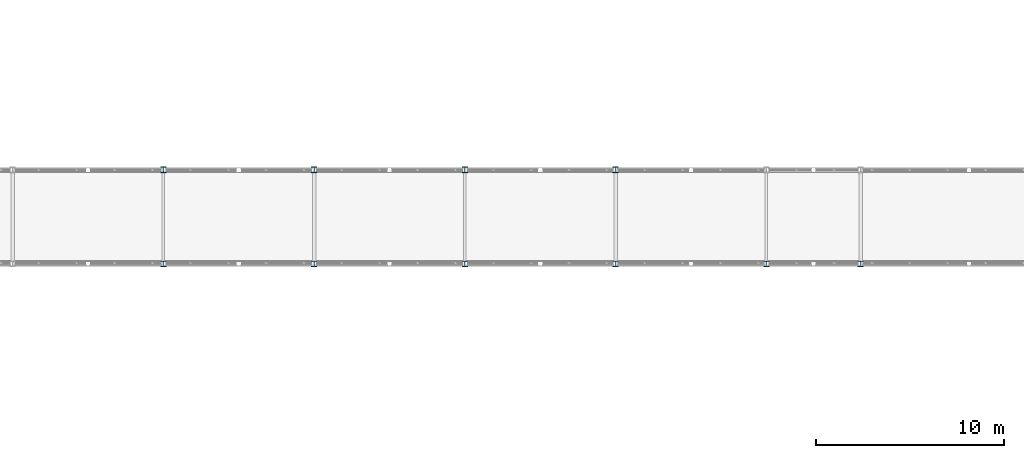
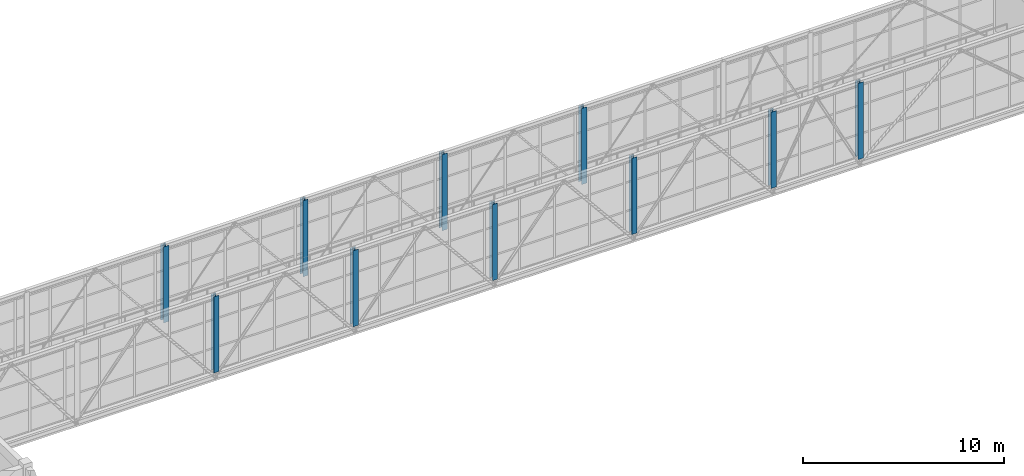
# One storey, part 6 of 248: 10 columns.
"""IFC4 building model written with IfcOpenShell, lengths in metres."""

import ifcopenshell
import ifcopenshell.guid

model = None  # the IFC model being written
_history = None  # IfcOwnerHistory: only IFC2X3 demands one
_inside = {}  # id of a spatial element -> (the spatial element, [elements in it])
_under = {}  # id of a project, library or spatial element -> (it, [spatial elements below it])
_declared = {}  # id of a project -> (the project, [libraries it declares])
_typed = {}  # id of a type object -> (the type object, [elements of that type])
_made_of = {}  # id of a material, layer set ... -> (it, [elements and type objects made of it])


def new_model(schema):
    """Start an empty IFC model of exactly this schema.

    Asked for "IFC4X3", IfcOpenShell would pick the latest addendum, in which some entities
    have other attributes; the version numbers below select the first issue.
    IFC2X3 requires an IfcOwnerHistory on every rooted entity: one is made here for all.
    """
    global model, _history
    if schema == "IFC4X3":
        model = ifcopenshell.file(schema_version=(4, 3, 0, 0))
    else:
        model = ifcopenshell.file(schema=schema)
    _inside.clear()
    _under.clear()
    _declared.clear()
    _typed.clear()
    _made_of.clear()
    _history = None
    if model.schema == "IFC2X3":
        org = make("IfcOrganization", Name="unknown")
        user = make(
            "IfcPersonAndOrganization",
            ThePerson=make("IfcPerson", FamilyName="unknown"),
            TheOrganization=org,
        )
        app = make(
            "IfcApplication",
            ApplicationDeveloper=org,
            Version="unknown",
            ApplicationFullName="unknown",
            ApplicationIdentifier="unknown",
        )
        _history = make(
            "IfcOwnerHistory",
            OwningUser=user,
            OwningApplication=app,
            ChangeAction="ADDED",
            CreationDate=0,
        )
    return model


def make(cls, **values):
    """One entity of the class cls with the attributes given. An attribute that is None is left unset."""
    return model.create_entity(
        cls, **{name: value for name, value in values.items() if value is not None}
    )


def rooted(cls, **values):
    """An entity with a GlobalId (a new one), such as an element, a storey or a relation."""
    return make(cls, GlobalId=ifcopenshell.guid.new(), OwnerHistory=_history, **values)


def si_unit(unit_type, name, prefix=None):
    """IfcSIUnit, for example si_unit("LENGTHUNIT", "METRE", prefix="MILLI")."""
    return make("IfcSIUnit", UnitType=unit_type, Prefix=prefix, Name=name)


def assignment(units):
    """IfcUnitAssignment: the units of a project."""
    return None if units is None else make("IfcUnitAssignment", Units=units)


def point(xyz):
    """IfcCartesianPoint."""
    return None if xyz is None else make("IfcCartesianPoint", Coordinates=xyz)


def direction(xyz):
    """IfcDirection."""
    return None if xyz is None else make("IfcDirection", DirectionRatios=xyz)


def frame(location, z_axis=None, x_axis=None):
    """IfcAxis2Placement3D, a coordinate frame: its origin and axes. An axis left out is left unset."""
    return make(
        "IfcAxis2Placement3D",
        Location=point(location),
        Axis=direction(z_axis),
        RefDirection=direction(x_axis),
    )


def frame_2d(location, x_axis=None):
    """IfcAxis2Placement2D, a coordinate frame in the plane: its origin and x axis."""
    return make(
        "IfcAxis2Placement2D", Location=point(location), RefDirection=direction(x_axis)
    )


def origin():
    """The frame at (0, 0, 0) with its axes left unset."""
    return frame((0.0, 0.0, 0.0))


def origin_2d():
    """The frame at (0, 0) in the plane with its x axis left unset."""
    return frame_2d((0.0, 0.0))


def place(relative_to, where):
    """IfcLocalPlacement: puts the frame where relative to a parent placement (None: the world)."""
    return make(
        "IfcLocalPlacement", PlacementRelTo=relative_to, RelativePlacement=where
    )


def context(
    kind, dimensions, precision=None, world=None, true_north=None, identifier=None
):
    """IfcGeometricRepresentationContext, for example the 3D "Model" context."""
    return make(
        "IfcGeometricRepresentationContext",
        ContextIdentifier=identifier,
        ContextType=kind,
        CoordinateSpaceDimension=dimensions,
        Precision=precision,
        WorldCoordinateSystem=world,
        TrueNorth=true_north,
    )


def subcontext(parent, identifier, kind, view, scale=None):
    """IfcGeometricRepresentationSubContext, for example "Body" below "Model"."""
    return make(
        "IfcGeometricRepresentationSubContext",
        ContextIdentifier=identifier,
        ContextType=kind,
        ParentContext=parent,
        TargetScale=scale,
        TargetView=view,
    )


def project(units=None, contexts=None):
    """IfcProject with its units and contexts."""
    return rooted(
        "IfcProject",
        Name="project",
        RepresentationContexts=contexts,
        UnitsInContext=assignment(units),
    )


def spatial(cls, under=None, at=None, **own):
    """A site, building, storey or space (cls), placed at a placement, below another one or the project."""
    s = rooted(cls, ObjectPlacement=at, **own)
    if under is not None:
        _under.setdefault(under.id(), (under, []))[1].append(s)
    return s


def profile(cls, at=None, kind="AREA", **sizes):
    """A parametric profile (cls). Its sizes go by their IFC names, for example OverallWidth=200.0."""
    return make(cls, ProfileType=kind, Position=at, **sizes)


def i_section(**sizes):
    """IfcIShapeProfileDef."""
    return profile("IfcIShapeProfileDef", **sizes)


def extrude(swept, where, along, depth):
    """IfcExtrudedAreaSolid: the profile swept, set in the frame where, extruded along a direction by depth."""
    return make(
        "IfcExtrudedAreaSolid",
        SweptArea=swept,
        Position=where,
        ExtrudedDirection=direction(along),
        Depth=depth,
    )


def shape(context_of_items, identifier, shape_type, items):
    """IfcShapeRepresentation: the items that make up one representation, for example the "Body"."""
    return make(
        "IfcShapeRepresentation",
        ContextOfItems=context_of_items,
        RepresentationIdentifier=identifier,
        RepresentationType=shape_type,
        Items=items,
    )


def material(Name=None, Category=None):
    """IfcMaterial."""
    return make("IfcMaterial", Name=Name, Category=Category)


def material_profile(
    of_material, cross_section, Name=None, Category=None, Priority=None
):
    """IfcMaterialProfile: a cross section and its material."""
    return make(
        "IfcMaterialProfile",
        Name=Name,
        Material=of_material,
        Profile=cross_section,
        Priority=Priority,
        Category=Category,
    )


def profile_set(profiles, Name=None, composite=None):
    """IfcMaterialProfileSet."""
    return make(
        "IfcMaterialProfileSet",
        Name=Name,
        MaterialProfiles=profiles,
        CompositeProfile=composite,
    )


def made_of(thing, what):
    """Note that an element or type object is made of a material, layer set ...; save() writes the relation."""
    if what is not None:
        _made_of.setdefault(what.id(), (what, []))[1].append(thing)
    return thing


def type_object(cls, material=None, **own):
    """A type object (cls), such as IfcWallType, which elements share."""
    return made_of(rooted(cls, **own), material)


def element(
    cls,
    number,
    at=None,
    inside=None,
    cuts=None,
    type_object=None,
    material=None,
    context=None,
    identifier="Body",
    shape_type=None,
    held_by="IfcProductDefinitionShape",
    body=None,
    shapes=None,
    **own,
):
    """One element of the class cls, such as IfcWall. Its Tag is "e" and its number.

    at: its placement. inside: the storey or other place that contains it. cuts: it is an
    opening in that element (IfcRelVoidsElement). A single representation is given by context,
    identifier, shape_type and body (its items); several are given by shapes. held_by: the class
    of the entity that holds the representations. save() writes the other relations.
    """
    e = rooted(cls, Tag="e%d" % number, ObjectPlacement=at, **own)
    if body is not None:
        shapes = [shape(context, identifier, shape_type, body)]
    if shapes is not None:
        e.Representation = make(held_by, Representations=shapes)
    if inside is not None:
        _inside.setdefault(inside.id(), (inside, []))[1].append(e)
    if cuts is not None:
        rooted(
            "IfcRelVoidsElement", RelatingBuildingElement=cuts, RelatedOpeningElement=e
        )
    if type_object is not None:
        _typed.setdefault(type_object.id(), (type_object, []))[1].append(e)
    return made_of(e, material)


def aggregate(whole, parts):
    """IfcRelAggregates: a whole, such as a stair, and the parts it consists of."""
    return rooted("IfcRelAggregates", RelatingObject=whole, RelatedObjects=parts)


def save(model, path):
    """Write the relations noted so far, then the file.

    IfcRelAggregates (storeys below a building ...), IfcRelContainedInSpatialStructure (elements
    in a storey), IfcRelDefinesByType, IfcRelAssociatesMaterial and IfcRelDeclares: one each for
    every whole, place, type object, material and project.
    """
    for whole, parts in _under.values():
        aggregate(whole, parts)
    for where, things in _inside.values():
        rooted(
            "IfcRelContainedInSpatialStructure",
            RelatedElements=things,
            RelatingStructure=where,
        )
    for kind, things in _typed.values():
        rooted("IfcRelDefinesByType", RelatedObjects=things, RelatingType=kind)
    for what, things in _made_of.values():
        rooted("IfcRelAssociatesMaterial", RelatedObjects=things, RelatingMaterial=what)
    for by, libraries in _declared.values():
        rooted("IfcRelDeclares", RelatingContext=by, RelatedDefinitions=libraries)
    model.write(path)


model = new_model("IFC4")

# Units and contexts
model_context = context("Model", 3, precision=1e-05, world=origin(), true_north=direction((0.0, 1.0)))
body_context = subcontext(model_context, "Body", "Model", "MODEL_VIEW")
ifc_project = project(units=[si_unit("LENGTHUNIT", "METRE"), si_unit("AREAUNIT", "SQUARE_METRE"), si_unit("VOLUMEUNIT", "CUBIC_METRE"), si_unit("PLANEANGLEUNIT", "RADIAN"), si_unit("MASSUNIT", "GRAM", prefix="KILO")], contexts=[model_context])

# Site, building, storey
site_placement = place(None, origin())
site = spatial("IfcSite", under=ifc_project, at=site_placement, CompositionType="ELEMENT")
building_placement = place(site_placement, origin())
building = spatial("IfcBuilding", under=site, at=building_placement, Name="Canggui Botanical Conservatory", CompositionType="ELEMENT")
storey_placement = place(building_placement, frame((0.0, 0.0, 5.39990234375)))
storey = spatial("IfcBuildingStorey", under=building, at=storey_placement, Name="L02", CompositionType="ELEMENT", Elevation=5.39990234375)

# Columns
ifc_material = material(Name="Steel Q355B", Category="steel")
ifc_material_profile = material_profile(ifc_material, i_section(OverallWidth=0.300048828125, OverallDepth=0.300048828125, WebThickness=0.010009765625, FlangeThickness=0.014892578125, FilletRadius=0.01806640625, at=origin_2d()), Name="HW 300x300x10x15")
ifc_profile_set = profile_set([ifc_material_profile], Name="Steel Q355B")
column_type = type_object("IfcColumnType", Name="COL-GZ05", PredefinedType="COLUMN", material=ifc_profile_set)
for number, where, z_axis, x_axis, name in (
    (1, (81.5, 26.0, 0.0), (0.0, 0.0, 1.0), (1.0, 0.0, 0.0), "Skybridge Gallery Steel Column (81.5,26)"),
    (2, (81.5, 31.0, 0.0), (0.0, 0.0, 1.0), (1.0, 0.0, 0.0), "Skybridge Gallery Steel Column (81.5,31)"),
    (3, (89.5, 26.0, 0.0), (0.0, 0.0, 1.0), (1.0, 0.0, 0.0), "Skybridge Gallery Steel Column (89.5,26)"),
    (4, (89.5, 31.0, 0.0), (0.0, 0.0, 1.0), (1.0, 0.0, 0.0), "Skybridge Gallery Steel Column (89.5,31)"),
    (5, (97.5, 26.0, 0.0), (0.0, 0.0, 1.0), (1.0, 0.0, 0.0), "Skybridge Gallery Steel Column (97.5,26)"),
    (6, (97.5, 31.0, 0.0), (0.0, 0.0, 1.0), (1.0, 0.0, 0.0), "Skybridge Gallery Steel Column (97.5,31)"),
    (7, (105.5, 26.0, 0.0), (0.0, 0.0, 1.0), (1.0, 0.0, 0.0), "Skybridge Gallery Steel Column (105.5,26)"),
    (8, (105.5, 31.0, 0.0), (0.0, 0.0, 1.0), (1.0, 0.0, 0.0), "Skybridge Gallery Steel Column (105.5,31)"),
    (9, (113.5, 26.0, 0.0), (0.0, 0.0, 1.0), (1.0, 0.0, 0.0), "Skybridge Gallery Steel Column (113.5,26)"),
    (10, (118.5, 26.0, 0.0), (0.0, 0.0, 1.0), (1.0, 0.0, 0.0), "Skybridge Gallery Steel Column (118.5,26)"),
):
    element("IfcColumn", number, at=place(storey_placement, frame(where, z_axis=z_axis, x_axis=x_axis)), inside=storey, type_object=column_type, Name=name, PredefinedType="COLUMN", context=body_context, shape_type="SweptSolid", body=[
        extrude(i_section(OverallWidth=0.300048828125, OverallDepth=0.300048828125, WebThickness=0.010009765625, FlangeThickness=0.014892578125, FilletRadius=0.01806640625, at=origin_2d()), origin(), (0.0, 0.0, 1.0), 4.6201171875),
    ])

save(model, "model.ifc")
